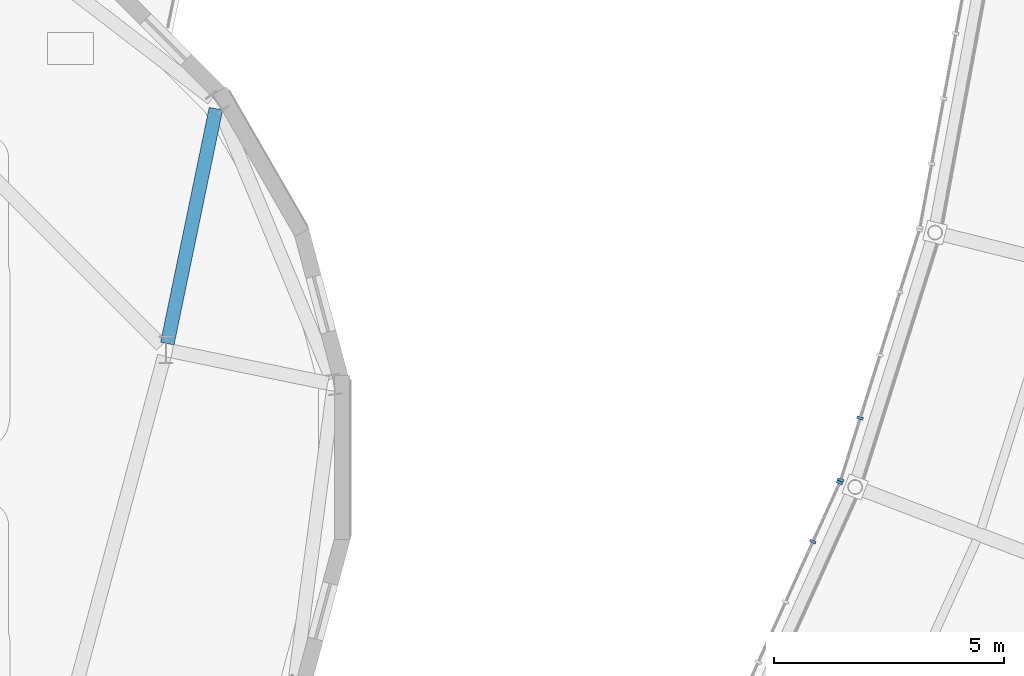
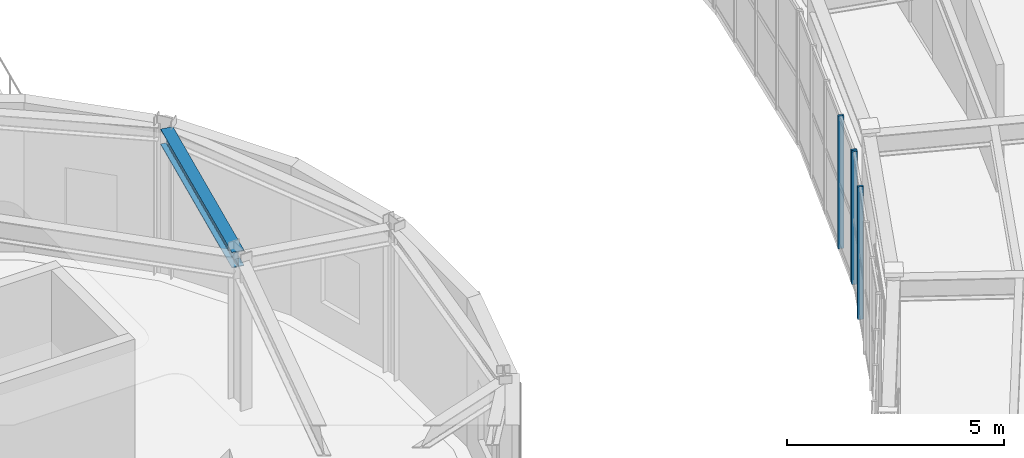
# One storey, part 34 of 103: 4 members, 1 beam, 2 elements without a shape of their own.
"""IFC4 building model written with IfcOpenShell, lengths in metres."""

from ifc_helpers import new_model, si_unit, direction, frame, origin, origin_2d, place, context, subcontext, project, spatial, rectangle, i_section, extrude, material, material_profile, profile_set, type_object, element, aggregate, save


model = new_model("IFC4")

# Units and contexts
model_context = context("Model", 3, precision=1e-05, world=origin(), true_north=direction((0.0, 1.0)))
body_context = subcontext(model_context, "Body", "Model", "MODEL_VIEW")
ifc_project = project(units=[si_unit("LENGTHUNIT", "METRE"), si_unit("AREAUNIT", "SQUARE_METRE"), si_unit("VOLUMEUNIT", "CUBIC_METRE"), si_unit("PLANEANGLEUNIT", "RADIAN"), si_unit("MASSUNIT", "GRAM", prefix="KILO")], contexts=[model_context])

# Site, building, storey
site_placement = place(None, origin())
site = spatial("IfcSite", under=ifc_project, at=site_placement, CompositionType="ELEMENT")
building_placement = place(site_placement, origin())
building = spatial("IfcBuilding", under=site, at=building_placement, Name="Varnklinge Art Gallery", CompositionType="ELEMENT")
storey_placement = place(building_placement, frame((0.0, 0.0, 5.10009765625)))
storey = spatial("IfcBuildingStorey", under=building, at=storey_placement, Name="L01", CompositionType="ELEMENT", Elevation=5.10009765625)

# Beam
ifc_material_1 = material(Name="Steel S355", Category="steel")
ifc_material_profile_1 = material_profile(ifc_material_1, i_section(OverallWidth=0.300048828125, OverallDepth=0.43994140625, WebThickness=0.011474609375, FlangeThickness=0.02099609375, FilletRadius=0.027099609375, at=origin_2d()), Name="HEA 450")
ifc_profile_set_1 = profile_set([ifc_material_profile_1], Name="Steel S355")
beam_type = type_object("IfcBeamType", Name="BM-08", PredefinedType="BEAM", material=ifc_profile_set_1)
beam_placement = place(storey_placement, frame((84.608154296875, 41.070068359375, 3.97998046875), z_axis=(0.202556149381, 0.979270650202, 0.0), x_axis=(-0.979270650202, 0.202556149381, 0.0)))
element("IfcBeam", 1, at=beam_placement, inside=storey, type_object=beam_type, Name="L01 BM-08 BM-V4D-L02-R02", PredefinedType="BEAM", context=body_context, shape_type="SweptSolid", body=[
    extrude(i_section(OverallWidth=0.300048828125, OverallDepth=0.43994140625, WebThickness=0.011474609375, FlangeThickness=0.02099609375, FilletRadius=0.027099609375, at=origin_2d()), origin(), (0.0, 0.0, 1.0), 5.223876953125),
])

# Curtain wall, members
ifc_material_2 = material(Name="Anodised Aluminium", Category="aluminium")
curtain_wall_type = type_object("IfcCurtainWallType", Name="CW-R04", PredefinedType="USERDEFINED", material=ifc_material_2)
curtain_wall_1_placement = place(storey_placement, origin())
curtain_wall_1 = element("IfcCurtainWall", 2, at=curtain_wall_1_placement, inside=storey, type_object=curtain_wall_type, Name="L01 Curtain Wall CW-V2I-L01-03", ObjectType="UNITISED CURTAIN WALL", PredefinedType="USERDEFINED")
ifc_material_3 = material(Name="Anodised Aluminium", Category="aluminium")
ifc_material_profile_2 = material_profile(ifc_material_3, rectangle(XDim=0.06005859375, YDim=0.139892578125, at=origin_2d()), Name="ALU 60x140")
ifc_profile_set_2 = profile_set([ifc_material_profile_2], Name="Anodised Aluminium")
member_type = type_object("IfcMemberType", Name="MUL-03", PredefinedType="MULLION", material=ifc_profile_set_2)
member_1_placement = place(storey_placement, frame((99.251953125, 38.043212890625, 0.0), z_axis=(0.0, 0.0, 1.0), x_axis=(-0.413422293217, -0.910539404678, 0.0)))
member_1 = element("IfcMember", 3, at=member_1_placement, type_object=member_type, Name="CW-V2I-L01-03 Mullion 1", PredefinedType="MULLION", context=body_context, shape_type="SweptSolid", body=[
    extrude(rectangle(XDim=0.06005859375, YDim=0.139892578125, at=origin_2d()), origin(), (0.0, 0.0, 1.0), 3.72998046875),
])
member_2_placement = place(storey_placement, frame((98.66845703125, 36.757568359375, 0.0), z_axis=(0.0, 0.0, 1.0), x_axis=(-0.413422293217, -0.910539404678, 0.0)))
member_2 = element("IfcMember", 4, at=member_2_placement, type_object=member_type, Name="CW-V2I-L01-03 Mullion 2", PredefinedType="MULLION", context=body_context, shape_type="SweptSolid", body=[
    extrude(rectangle(XDim=0.06005859375, YDim=0.139892578125, at=origin_2d()), origin(), (0.0, 0.0, 1.0), 3.72998046875),
])
aggregate(curtain_wall_1, [member_1, member_2])

curtain_wall_2_placement = place(storey_placement, origin())
curtain_wall_2 = element("IfcCurtainWall", 5, at=curtain_wall_2_placement, inside=storey, type_object=curtain_wall_type, Name="L01 Curtain Wall CW-V2I-L01-04", ObjectType="UNITISED CURTAIN WALL", PredefinedType="USERDEFINED")
member_3_placement = place(storey_placement, frame((99.696533203125, 39.44580078125, 0.0), z_axis=(0.0, 0.0, 1.0), x_axis=(-0.299706904751, -0.954031326134, 0.0)))
member_3 = element("IfcMember", 6, at=member_3_placement, type_object=member_type, Name="CW-V2I-L01-04 Mullion 4", PredefinedType="MULLION", context=body_context, shape_type="SweptSolid", body=[
    extrude(rectangle(XDim=0.06005859375, YDim=0.139892578125, at=origin_2d()), origin(), (0.0, 0.0, 1.0), 3.72998046875),
])
member_4_placement = place(storey_placement, frame((99.2734375, 38.09912109375, 0.0), z_axis=(0.0, 0.0, 1.0), x_axis=(-0.299706904751, -0.954031326134, 0.0)))
member_4 = element("IfcMember", 7, at=member_4_placement, type_object=member_type, Name="CW-V2I-L01-04 Mullion 5", PredefinedType="MULLION", context=body_context, shape_type="SweptSolid", body=[
    extrude(rectangle(XDim=0.06005859375, YDim=0.139892578125, at=origin_2d()), origin(), (0.0, 0.0, 1.0), 3.72998046875),
])
aggregate(curtain_wall_2, [member_3, member_4])

save(model, "model.ifc")
